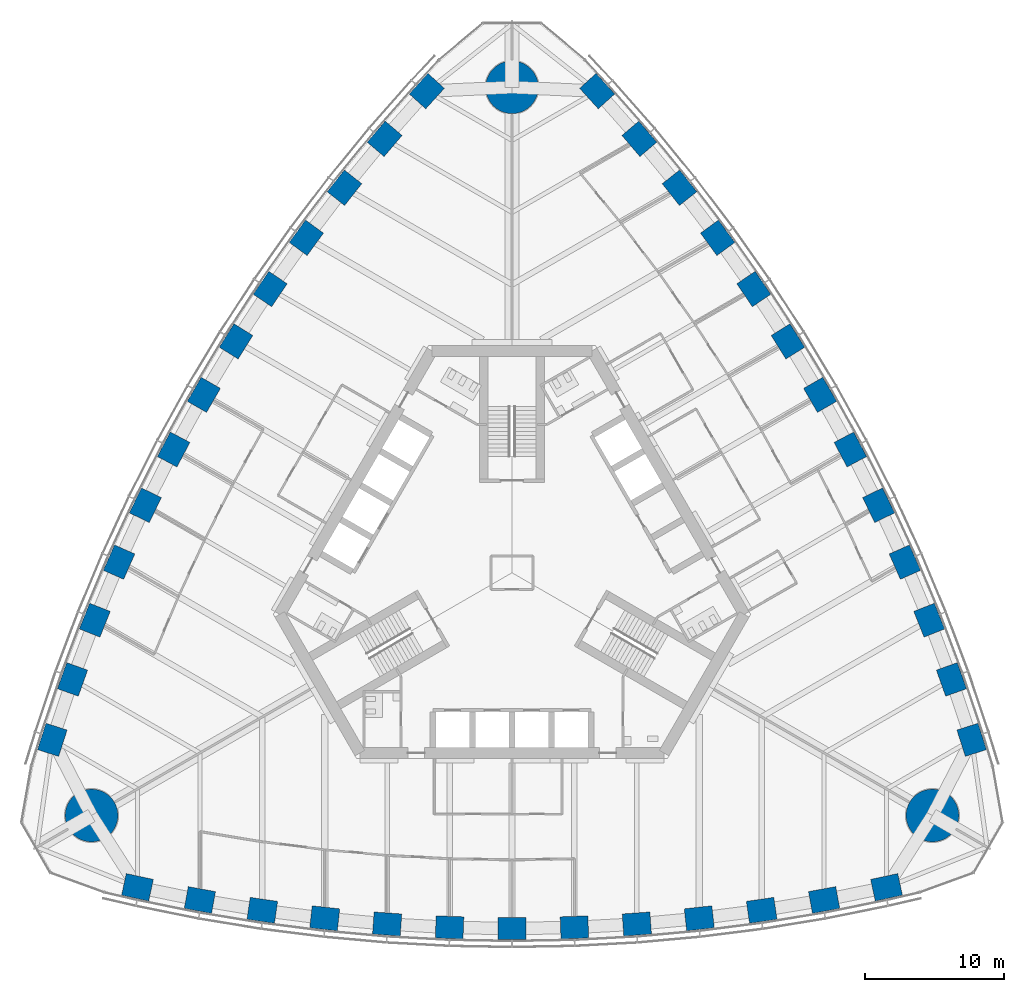
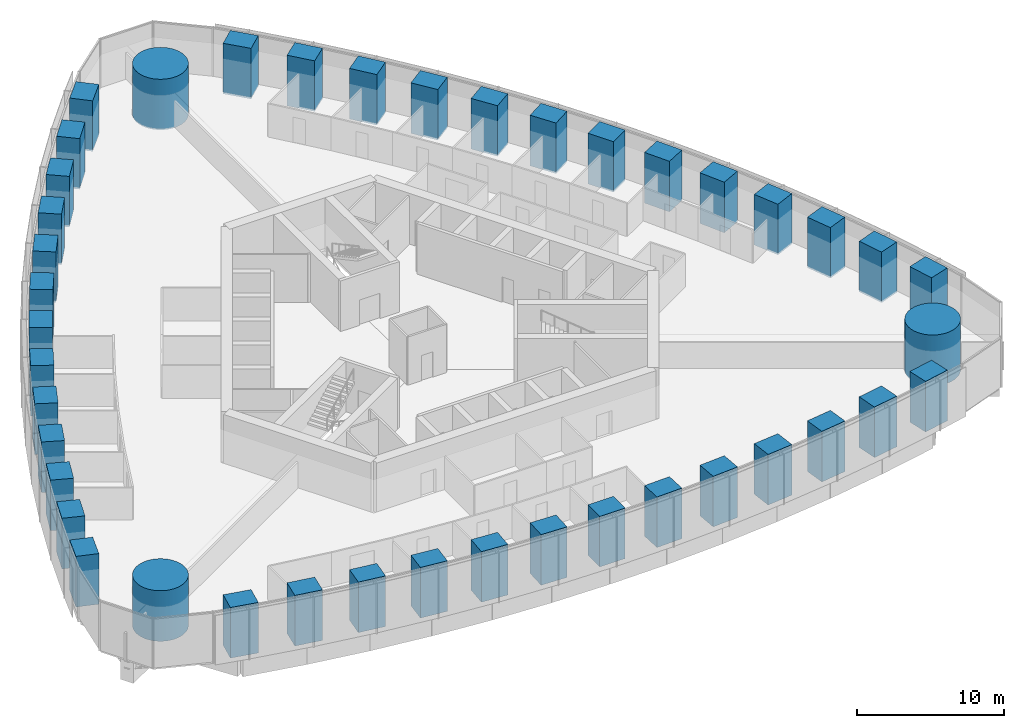
# One storey, part 1 of 18: 42 columns.
"""IFC4 building model written with IfcOpenShell, lengths in metres."""

from ifc_helpers import new_model, si_unit, direction, frame, origin, origin_2d, place, context, subcontext, project, spatial, rectangle, circle, extrude, material, material_profile, profile_set, type_object, element, save


model = new_model("IFC4")

# Units and contexts
model_context = context("Model", 3, precision=1e-05, world=origin(), true_north=direction((0.0, 1.0)))
body_context = subcontext(model_context, "Body", "Model", "MODEL_VIEW")
ifc_project = project(units=[si_unit("LENGTHUNIT", "METRE"), si_unit("AREAUNIT", "SQUARE_METRE"), si_unit("VOLUMEUNIT", "CUBIC_METRE"), si_unit("PLANEANGLEUNIT", "RADIAN"), si_unit("MASSUNIT", "GRAM", prefix="KILO")], contexts=[model_context])

# Site, building, storey
site_placement = place(None, origin())
site = spatial("IfcSite", under=ifc_project, at=site_placement, CompositionType="ELEMENT")
building_placement = place(site_placement, origin())
building = spatial("IfcBuilding", under=site, at=building_placement, Name="Trefoil Bronze Tower", CompositionType="ELEMENT")
storey_placement = place(building_placement, frame((0.0, 0.0, 157.699951171875)))
storey = spatial("IfcBuildingStorey", under=building, at=storey_placement, Name="L36", CompositionType="ELEMENT", Elevation=157.699951171875)

# Columns
ifc_material_1 = material(Name="Concrete B80", Category="concrete")
ifc_material_profile_1 = material_profile(ifc_material_1, circle(Radius=1.89990234375, at=origin_2d()), Name="RC D3800")
ifc_profile_set_1 = profile_set([ifc_material_profile_1], Name="Concrete B80")
column_type_1 = type_object("IfcColumnType", Name="Mega column RC D3800", PredefinedType="COLUMN", material=ifc_profile_set_1)
for number, where, z_axis, x_axis, name in (
    (1, (30.310791015625, -17.5, 0.0), (0.0, 0.0, 1.0), (1.0, 0.0, 0.0), "Mega column K1 L36"),
    (2, (0.0, 35.0, 0.0), (0.0, 0.0, 1.0), (1.0, 0.0, 0.0), "Mega column K2 L36"),
    (3, (-30.310791015625, -17.5, 0.0), (0.0, 0.0, 1.0), (1.0, 0.0, 0.0), "Mega column K3 L36"),
):
    element("IfcColumn", number, at=place(storey_placement, frame(where, z_axis=z_axis, x_axis=x_axis)), inside=storey, type_object=column_type_1, Name=name, PredefinedType="COLUMN", context=body_context, shape_type="SweptSolid", body=[
        extrude(circle(Radius=1.89990234375, at=origin_2d()), origin(), (0.0, 0.0, 1.0), 4.199951171875),
    ])
ifc_material_2 = material(Name="Concrete B80", Category="concrete")
ifc_material_profile_2 = material_profile(ifc_material_2, rectangle(XDim=2.0, YDim=1.60009765625, at=origin_2d()), Name="RC 2000x1600")
ifc_profile_set_2 = profile_set([ifc_material_profile_2], Name="Concrete B80")
column_type_2 = type_object("IfcColumnType", Name="Tube column RC 2000x1600", PredefinedType="COLUMN", material=ifc_profile_set_2)
for number, where, z_axis, x_axis, name in (
    (4, (-27.0, -22.67724609375, 0.0), (0.0, 0.0, 1.0), (0.977276081214, -0.21197042503, 0.0), "Tube column F1/-6 L36"),
    (5, (-22.5, -23.592529296875, 0.0), (0.0, 0.0, 1.0), (0.98362250613, -0.180240853954, 0.0), "Tube column F1/-5 L36"),
    (6, (-18.0, -24.337158203125, 0.0), (0.0, 0.0, 1.0), (0.989549714366, -0.144192103798, 0.0), "Tube column F1/-4 L36"),
    (7, (-13.5, -24.9130859375, 0.0), (0.0, 0.0, 1.0), (0.994135267447, -0.108143747013, 0.0), "Tube column F1/-3 L36"),
    (8, (-9.0, -25.32275390625, 0.0), (0.0, 0.0, 1.0), (0.997397720802, -0.072095676284, 0.0), "Tube column F1/-2 L36"),
    (9, (-4.5, -25.568115234375, 0.0), (0.0, 0.0, 1.0), (0.999350067136, -0.036047792107, 0.0), "Tube column F1/-1 L36"),
    (10, (0.0, -25.649658203125, 0.0), (0.0, 0.0, 1.0), (1.0, 0.0, 0.0), "Tube column F1/+0 L36"),
    (11, (4.5, -25.568115234375, 0.0), (0.0, 0.0, 1.0), (0.999350067136, 0.036047792107, 0.0), "Tube column F1/+1 L36"),
    (12, (9.0, -25.32275390625, 0.0), (0.0, 0.0, 1.0), (0.997397720802, 0.072095676284, 0.0), "Tube column F1/+2 L36"),
    (13, (13.5, -24.9130859375, 0.0), (0.0, 0.0, 1.0), (0.994135267447, 0.108143747013, 0.0), "Tube column F1/+3 L36"),
    (14, (18.0, -24.337158203125, 0.0), (0.0, 0.0, 1.0), (0.989549714366, 0.144192103798, 0.0), "Tube column F1/+4 L36"),
    (15, (22.5, -23.592529296875, 0.0), (0.0, 0.0, 1.0), (0.98362250613, 0.180240853954, 0.0), "Tube column F1/+5 L36"),
    (16, (27.0, -22.67724609375, 0.0), (0.0, 0.0, 1.0), (0.977276081214, 0.21197042503, 0.0), "Tube column F1/+6 L36"),
    (17, (33.13916015625, -12.044189453125, 0.0), (0.0, 0.0, 1.0), (-0.30506626768, 0.952331125357, 0.0), "Tube column F2/-6 L36"),
    (18, (31.681884765625, -7.689208984375, 0.0), (0.0, 0.0, 1.0), (-0.335718094742, 0.94196250502, 0.0), "Tube column F2/-5 L36"),
    (19, (30.07666015625, -3.419921875, 0.0), (0.0, 0.0, 1.0), (-0.369900832269, 0.929071242848, 0.0), "Tube column F2/-4 L36"),
    (20, (28.325439453125, 0.76513671875, 0.0), (0.0, 0.0, 1.0), (-0.40341240155, 0.915018269914, 0.0), "Tube column F2/-3 L36"),
    (21, (26.43017578125, 4.8671875, 0.0), (0.0, 0.0, 1.0), (-0.436262173236, 0.899819602033, 0.0), "Tube column F2/-2 L36"),
    (22, (24.392578125, 8.886962890625, 0.0), (0.0, 0.0, 1.0), (-0.468456729853, 0.883486441467, 0.0), "Tube column F2/-1 L36"),
    (23, (22.21337890625, 12.824951171875, 0.0), (0.0, 0.0, 1.0), (-0.5, 0.866025403784, 0.0), "Tube column F2/+0 L36"),
    (24, (19.892578125, 16.68115234375, 0.0), (0.0, 0.0, 1.0), (-0.530893337283, 0.84743864936, 0.0), "Tube column F2/+1 L36"),
    (25, (17.43017578125, 20.45556640625, 0.0), (0.0, 0.0, 1.0), (-0.561135547566, 0.827723925749, 0.0), "Tube column F2/+2 L36"),
    (26, (14.825439453125, 24.14794921875, 0.0), (0.0, 0.0, 1.0), (-0.590722865897, 0.806874522901, 0.0), "Tube column F2/+3 L36"),
    (27, (12.07666015625, 27.757080078125, 0.0), (0.0, 0.0, 1.0), (-0.619648882098, 0.78487913905, 0.0), "Tube column F2/+4 L36"),
    (28, (9.181884765625, 31.281982421875, 0.0), (0.0, 0.0, 1.0), (-0.647904411389, 0.761721651066, 0.0), "Tube column F2/+5 L36"),
    (29, (6.13916015625, 34.72119140625, 0.0), (0.0, 0.0, 1.0), (-0.672209813534, 0.740360700327, 0.0), "Tube column F2/+6 L36"),
    (30, (-6.13916015625, 34.72119140625, 0.0), (0.0, 0.0, 1.0), (-0.672209813534, -0.740360700327, 0.0), "Tube column F3/-6 L36"),
    (31, (-9.181884765625, 31.281982421875, 0.0), (0.0, 0.0, 1.0), (-0.647904411389, -0.761721651066, 0.0), "Tube column F3/-5 L36"),
    (32, (-12.07666015625, 27.757080078125, 0.0), (0.0, 0.0, 1.0), (-0.619648882098, -0.78487913905, 0.0), "Tube column F3/-4 L36"),
    (33, (-14.825439453125, 24.14794921875, 0.0), (0.0, 0.0, 1.0), (-0.590722865897, -0.806874522901, 0.0), "Tube column F3/-3 L36"),
    (34, (-17.43017578125, 20.45556640625, 0.0), (0.0, 0.0, 1.0), (-0.561135547566, -0.827723925749, 0.0), "Tube column F3/-2 L36"),
    (35, (-19.892578125, 16.68115234375, 0.0), (0.0, 0.0, 1.0), (-0.530893337283, -0.84743864936, 0.0), "Tube column F3/-1 L36"),
    (36, (-22.21337890625, 12.824951171875, 0.0), (0.0, 0.0, 1.0), (-0.5, -0.866025403784, 0.0), "Tube column F3/+0 L36"),
    (37, (-24.392578125, 8.886962890625, 0.0), (0.0, 0.0, 1.0), (-0.468456729853, -0.883486441467, 0.0), "Tube column F3/+1 L36"),
    (38, (-26.43017578125, 4.8671875, 0.0), (0.0, 0.0, 1.0), (-0.436262173236, -0.899819602033, 0.0), "Tube column F3/+2 L36"),
    (39, (-28.325439453125, 0.76513671875, 0.0), (0.0, 0.0, 1.0), (-0.40341240155, -0.915018269914, 0.0), "Tube column F3/+3 L36"),
    (40, (-30.07666015625, -3.419921875, 0.0), (0.0, 0.0, 1.0), (-0.369900832269, -0.929071242848, 0.0), "Tube column F3/+4 L36"),
    (41, (-31.681884765625, -7.689208984375, 0.0), (0.0, 0.0, 1.0), (-0.335718094742, -0.94196250502, 0.0), "Tube column F3/+5 L36"),
    (42, (-33.13916015625, -12.044189453125, 0.0), (0.0, 0.0, 1.0), (-0.30506626768, -0.952331125357, 0.0), "Tube column F3/+6 L36"),
):
    element("IfcColumn", number, at=place(storey_placement, frame(where, z_axis=z_axis, x_axis=x_axis)), inside=storey, type_object=column_type_2, Name=name, PredefinedType="COLUMN", context=body_context, shape_type="SweptSolid", body=[
        extrude(rectangle(XDim=2.0, YDim=1.60009765625, at=origin_2d()), origin(), (0.0, 0.0, 1.0), 4.199951171875),
    ])

save(model, "model.ifc")
